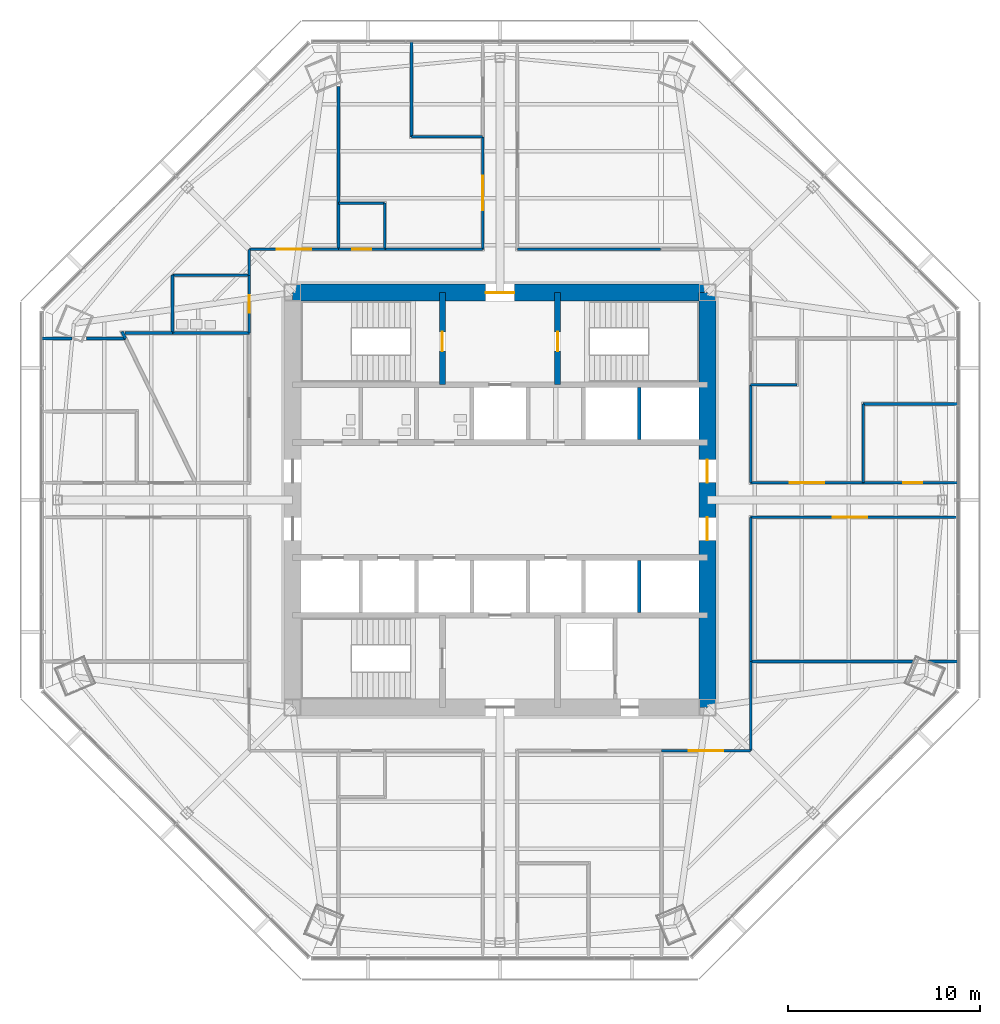
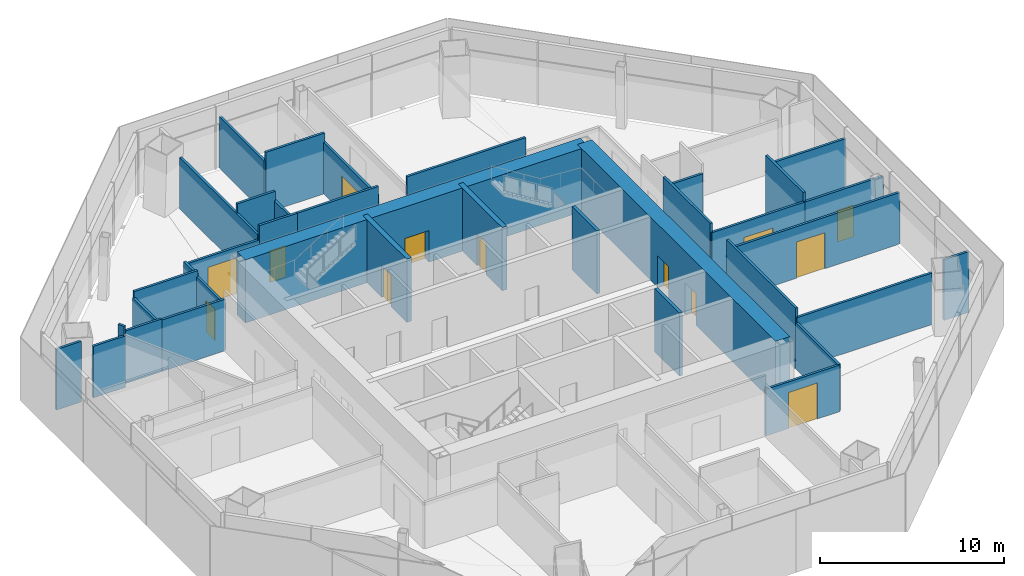
# One storey, part 10 of 14: 37 walls, 13 doors, 13 openings.
"""IFC4 building model written with IfcOpenShell, lengths in metres."""

from ifc_helpers import new_model, si_unit, direction, frame, frame_2d, origin, place, context, subcontext, project, spatial, rectangle, extrude, material, layer, layer_set, type_object, element, fill, save


model = new_model("IFC4")

# Units and contexts
model_context = context("Model", 3, precision=1e-05, world=origin(), true_north=direction((0.0, 1.0)))
body_context = subcontext(model_context, "Body", "Model", "MODEL_VIEW")
ifc_project = project(units=[si_unit("LENGTHUNIT", "METRE"), si_unit("AREAUNIT", "SQUARE_METRE"), si_unit("VOLUMEUNIT", "CUBIC_METRE"), si_unit("PLANEANGLEUNIT", "RADIAN"), si_unit("MASSUNIT", "GRAM", prefix="KILO")], contexts=[model_context])

# Site, building, storey
site_placement = place(None, origin())
site = spatial("IfcSite", under=ifc_project, at=site_placement, CompositionType="ELEMENT")
building_placement = place(site_placement, origin())
building = spatial("IfcBuilding", under=site, at=building_placement, Name="Mashrafa Tower", CompositionType="ELEMENT")
storey_placement = place(building_placement, frame((0.0, 0.0, 147.0)))
storey = spatial("IfcBuildingStorey", under=building, at=storey_placement, Name="L33", CompositionType="ELEMENT", Elevation=147.0)

# Wall, opening, door
ifc_material_1 = material(Name="Concrete C60/75", Category="concrete")
ifc_layer_1 = layer(ifc_material_1, 0.300048828125)
ifc_layer_set_1 = layer_set([ifc_layer_1], Name="Core wall 300 C60/75")
wall_type_1 = type_object("IfcWallType", Name="Core wall 300 C60/75", PredefinedType="SOLIDWALL", material=ifc_layer_set_1)
wall_1_placement = place(storey_placement, frame((-3.0, 6.0, 0.0), z_axis=(0.0, 0.0, 1.0), x_axis=(0.0, 1.0, 0.0)))
wall_1 = element("IfcWall", 1, at=wall_1_placement, inside=storey, type_object=wall_type_1, Name="Core wall CX-NW L33", PredefinedType="SOLIDWALL", context=body_context, shape_type="SweptSolid", body=[
    extrude(rectangle(XDim=4.800048828125, YDim=0.300048828125, at=frame_2d((2.39990234375, 0.0))), origin(), (0.0, 0.0, 1.0), 4.199951171875),
])
opening_1_placement = place(wall_1_placement, frame((1.75, 0.0, 0.0)))
opening_1 = element("IfcOpeningElement", 2, at=opening_1_placement, cuts=wall_1, Name="Opening 33.028", PredefinedType="OPENING", context=body_context, shape_type="SweptSolid", body=[
    extrude(rectangle(XDim=1.0, YDim=2.10009765625, at=frame_2d((0.5, 1.050048828125))), frame((0.0, 0.159912109375, 0.0), z_axis=(0.0, -1.0, 0.0), x_axis=(1.0, 0.0, 0.0)), (0.0, 0.0, 1.0), 0.320068359375),
])
ifc_material_2 = material(Name="Steel door", Category="steel")
door_type_1 = type_object("IfcDoorType", Name="Stair door 1000 x 2100 90 min", OperationType="USERDEFINED", PredefinedType="DOOR", material=ifc_material_2)
door_1_placement = place(opening_1_placement, origin())
door_1 = element("IfcDoor", 3, at=door_1_placement, inside=storey, type_object=door_type_1, Name="Stair S1 door L33", OperationType="SINGLE_SWING_LEFT", OverallHeight=2.10009765625, OverallWidth=1.0, PredefinedType="DOOR", context=body_context, shape_type="SweptSolid", body=[
    extrude(rectangle(XDim=1.0, YDim=2.10009765625, at=frame_2d((0.5, 1.050048828125))), frame((0.0, 0.02490234375, 0.0), z_axis=(0.0, -1.0, 0.0), x_axis=(1.0, 0.0, 0.0)), (0.0, 0.0, 1.0), 0.050048828125),
])
fill(opening_1, door_1)

wall_2_placement = place(storey_placement, frame((3.0, 6.0, 0.0), z_axis=(0.0, 0.0, 1.0), x_axis=(0.0, 1.0, 0.0)))
wall_2 = element("IfcWall", 4, at=wall_2_placement, inside=storey, type_object=wall_type_1, Name="Core wall CX-NE L33", PredefinedType="SOLIDWALL", context=body_context, shape_type="SweptSolid", body=[
    extrude(rectangle(XDim=4.800048828125, YDim=0.300048828125, at=frame_2d((2.39990234375, 0.0))), origin(), (0.0, 0.0, 1.0), 4.199951171875),
])
opening_2_placement = place(wall_2_placement, frame((1.75, 0.0, 0.0)))
opening_2 = element("IfcOpeningElement", 5, at=opening_2_placement, cuts=wall_2, Name="Opening 33.029", PredefinedType="OPENING", context=body_context, shape_type="SweptSolid", body=[
    extrude(rectangle(XDim=1.0, YDim=2.10009765625, at=frame_2d((0.5, 1.050048828125))), frame((0.0, 0.159912109375, 0.0), z_axis=(0.0, -1.0, 0.0), x_axis=(1.0, 0.0, 0.0)), (0.0, 0.0, 1.0), 0.320068359375),
])
door_2_placement = place(opening_2_placement, frame((1.0, 0.0, 0.0), z_axis=(0.0, 0.0, 1.0), x_axis=(-1.0, 0.0, 0.0)))
door_2 = element("IfcDoor", 6, at=door_2_placement, inside=storey, type_object=door_type_1, Name="Stair S2 door L33", OperationType="SINGLE_SWING_RIGHT", OverallHeight=2.10009765625, OverallWidth=1.0, PredefinedType="DOOR", context=body_context, shape_type="SweptSolid", body=[
    extrude(rectangle(XDim=1.0, YDim=2.10009765625, at=frame_2d((0.5, 1.050048828125))), frame((0.0, 0.02490234375, 0.0), z_axis=(0.0, -1.0, 0.0), x_axis=(1.0, 0.0, 0.0)), (0.0, 0.0, 1.0), 0.050048828125),
])
fill(opening_2, door_2)

# Wall, openings, doors
ifc_material_3 = material(Name="Concrete C60/75", Category="concrete")
ifc_layer_2 = layer(ifc_material_3, 0.89990234375)
ifc_layer_set_2 = layer_set([ifc_layer_2], Name="Core wall 900 C60/75")
wall_type_2 = type_object("IfcWallType", Name="Core wall 900 C60/75", PredefinedType="SOLIDWALL", material=ifc_layer_set_2)
wall_3_placement = place(storey_placement, frame((10.800048828125, -10.800048828125, 0.0), z_axis=(0.0, 0.0, 1.0), x_axis=(0.0, 1.0, 0.0)))
wall_3 = element("IfcWall", 7, at=wall_3_placement, inside=storey, type_object=wall_type_2, Name="Core wall CW-E L33", PredefinedType="SOLIDWALL", context=body_context, shape_type="SweptSolid", body=[
    extrude(rectangle(XDim=21.60009765625, YDim=0.89990234375, at=frame_2d((10.800048828125, 0.0))), origin(), (0.0, 0.0, 1.0), 4.199951171875),
])
opening_3_placement = place(wall_3_placement, frame((11.699951171875, 0.0, 0.0)))
opening_3 = element("IfcOpeningElement", 8, at=opening_3_placement, cuts=wall_3, Name="Opening 33.022", PredefinedType="OPENING", context=body_context, shape_type="SweptSolid", body=[
    extrude(rectangle(XDim=1.199951171875, YDim=2.10009765625, at=frame_2d((0.60009765625, 1.050048828125))), frame((0.0, 0.4599609375, 0.0), z_axis=(0.0, -1.0, 0.0), x_axis=(1.0, 0.0, 0.0)), (0.0, 0.0, 1.0), 0.919921875),
])
opening_4_placement = place(wall_3_placement, frame((8.699951171875, 0.0, 0.0)))
opening_4 = element("IfcOpeningElement", 9, at=opening_4_placement, cuts=wall_3, Name="Opening 33.024", PredefinedType="OPENING", context=body_context, shape_type="SweptSolid", body=[
    extrude(rectangle(XDim=1.199951171875, YDim=2.10009765625, at=frame_2d((0.60009765625, 1.050048828125))), frame((0.0, 0.4599609375, 0.0), z_axis=(0.0, -1.0, 0.0), x_axis=(1.0, 0.0, 0.0)), (0.0, 0.0, 1.0), 0.919921875),
])
ifc_material_4 = material(Name="Steel door", Category="steel")
door_type_2 = type_object("IfcDoorType", Name="Lift hall door 1200 x 2100 90 min", OperationType="USERDEFINED", PredefinedType="DOOR", material=ifc_material_4)
door_3_placement = place(opening_3_placement, frame((1.199951171875, 0.0, 0.0), z_axis=(0.0, 0.0, 1.0), x_axis=(-1.0, 0.0, 0.0)))
door_3 = element("IfcDoor", 10, at=door_3_placement, inside=storey, type_object=door_type_2, Name="Lift hall door east L33", OperationType="SINGLE_SWING_LEFT", OverallHeight=2.10009765625, OverallWidth=1.199951171875, PredefinedType="DOOR", context=body_context, shape_type="SweptSolid", body=[
    extrude(rectangle(XDim=1.199951171875, YDim=2.10009765625, at=frame_2d((0.60009765625, 1.050048828125))), frame((0.0, 0.02490234375, 0.0), z_axis=(0.0, -1.0, 0.0), x_axis=(1.0, 0.0, 0.0)), (0.0, 0.0, 1.0), 0.050048828125),
])
fill(opening_3, door_3)
door_4_placement = place(opening_4_placement, frame((1.199951171875, 0.0, 0.0), z_axis=(0.0, 0.0, 1.0), x_axis=(-1.0, 0.0, 0.0)))
door_4 = element("IfcDoor", 11, at=door_4_placement, inside=storey, type_object=door_type_2, Name="Lift hall door east L33", OperationType="SINGLE_SWING_RIGHT", OverallHeight=2.10009765625, OverallWidth=1.199951171875, PredefinedType="DOOR", context=body_context, shape_type="SweptSolid", body=[
    extrude(rectangle(XDim=1.199951171875, YDim=2.10009765625, at=frame_2d((0.60009765625, 1.050048828125))), frame((0.0, 0.02490234375, 0.0), z_axis=(0.0, -1.0, 0.0), x_axis=(1.0, 0.0, 0.0)), (0.0, 0.0, 1.0), 0.050048828125),
])
fill(opening_4, door_4)

# Wall, opening, door
wall_4_placement = place(storey_placement, frame((10.800048828125, 10.800048828125, 0.0), z_axis=(0.0, 0.0, 1.0), x_axis=(-1.0, 0.0, 0.0)))
wall_4 = element("IfcWall", 12, at=wall_4_placement, inside=storey, type_object=wall_type_2, Name="Core wall CW-N L33", PredefinedType="SOLIDWALL", context=body_context, shape_type="SweptSolid", body=[
    extrude(rectangle(XDim=21.60009765625, YDim=0.89990234375, at=frame_2d((10.800048828125, 0.0))), origin(), (0.0, 0.0, 1.0), 4.199951171875),
])
opening_5_placement = place(wall_4_placement, frame((10.050048828125, 0.0, 0.0)))
opening_5 = element("IfcOpeningElement", 13, at=opening_5_placement, cuts=wall_4, Name="Opening 33.026", PredefinedType="OPENING", context=body_context, shape_type="SweptSolid", body=[
    extrude(rectangle(XDim=1.5, YDim=2.10009765625, at=frame_2d((0.75, 1.050048828125))), frame((0.0, 0.4599609375, 0.0), z_axis=(0.0, -1.0, 0.0), x_axis=(1.0, 0.0, 0.0)), (0.0, 0.0, 1.0), 0.919921875),
])
ifc_material_5 = material(Name="Steel door", Category="steel")
door_type_3 = type_object("IfcDoorType", Name="Lobby door pair 1500 x 2100 90 min", OperationType="DOUBLE_DOOR_SINGLE_SWING", PredefinedType="DOOR", material=ifc_material_5)
door_5_placement = place(opening_5_placement, origin())
door_5 = element("IfcDoor", 14, at=door_5_placement, inside=storey, type_object=door_type_3, Name="Fire-fighting lobby F1 door L33", OperationType="DOUBLE_DOOR_SINGLE_SWING", OverallHeight=2.10009765625, OverallWidth=1.5, PredefinedType="DOOR", context=body_context, shape_type="SweptSolid", body=[
    extrude(rectangle(XDim=1.5, YDim=2.10009765625, at=frame_2d((0.75, 1.050048828125))), frame((0.0, 0.02490234375, 0.0), z_axis=(0.0, -1.0, 0.0), x_axis=(1.0, 0.0, 0.0)), (0.0, 0.0, 1.0), 0.050048828125),
])
fill(opening_5, door_5)

ifc_material_6 = material(Name="Gypsum board on steel studs", Category="steel")
ifc_layer_3 = layer(ifc_material_6, 0.14990234375)
ifc_layer_set_3 = layer_set([ifc_layer_3], Name="Corridor partition 150 1 hr")
wall_type_3 = type_object("IfcWallType", Name="Corridor partition 150 1 hr", PredefinedType="PARTITIONING", material=ifc_layer_set_3)
wall_5_placement = place(storey_placement, frame((-13.050048828125, 11.700927734375, 0.0), z_axis=(0.0, 0.0, 1.0), x_axis=(0.0, -1.0, 0.0)))
wall_5 = element("IfcWall", 15, at=wall_5_placement, inside=storey, type_object=wall_type_3, Name="Corridor wall L33-003", PredefinedType="PARTITIONING", context=body_context, shape_type="SweptSolid", body=[
    extrude(rectangle(XDim=3.001953125, YDim=0.14990234375, at=frame_2d((1.5009765625, 0.0))), origin(), (0.0, 0.0, 1.0), 3.097900390625),
])
opening_6_placement = place(wall_5_placement, frame((1.051025390625, 0.0, 0.0)))
opening_6 = element("IfcOpeningElement", 16, at=opening_6_placement, cuts=wall_5, Name="Opening 33.002", PredefinedType="OPENING", context=body_context, shape_type="SweptSolid", body=[
    extrude(rectangle(XDim=0.89990234375, YDim=2.10009765625, at=frame_2d((0.449951171875, 1.050048828125))), frame((0.0, 0.0849609375, 0.0), z_axis=(0.0, -1.0, 0.0), x_axis=(1.0, 0.0, 0.0)), (0.0, 0.0, 1.0), 0.169921875),
])
ifc_material_7 = material(Name="Timber door", Category="wood")
door_type_4 = type_object("IfcDoorType", Name="Toilet door 900 x 2100", OperationType="USERDEFINED", PredefinedType="DOOR", material=ifc_material_7)
door_6_placement = place(opening_6_placement, frame((0.89990234375, 0.0, 0.0), z_axis=(0.0, 0.0, 1.0), x_axis=(-1.0, 0.0, 0.0)))
door_6 = element("IfcDoor", 17, at=door_6_placement, inside=storey, type_object=door_type_4, Name="Ablution Room L33 door", OperationType="SINGLE_SWING_RIGHT", OverallHeight=2.10009765625, OverallWidth=0.89990234375, PredefinedType="DOOR", context=body_context, shape_type="SweptSolid", body=[
    extrude(rectangle(XDim=0.89990234375, YDim=2.10009765625, at=frame_2d((0.449951171875, 1.050048828125))), frame((0.0, 0.02490234375, 0.0), z_axis=(0.0, -1.0, 0.0), x_axis=(1.0, 0.0, 0.0)), (0.0, 0.0, 1.0), 0.050048828125),
])
fill(opening_6, door_6)

wall_6_placement = place(storey_placement, frame((23.84033203125, 0.89990234375, 0.0), z_axis=(0.0, 0.0, 1.0), x_axis=(-1.0, 0.0, 0.0)))
wall_6 = element("IfcWall", 18, at=wall_6_placement, inside=storey, type_object=wall_type_3, Name="Corridor wall L33-004", PredefinedType="PARTITIONING", context=body_context, shape_type="SweptSolid", body=[
    extrude(rectangle(XDim=4.93505859375, YDim=0.14990234375, at=frame_2d((2.467529296875, 0.0))), origin(), (0.0, 0.0, 1.0), 3.425537109375),
])
opening_7_placement = place(wall_6_placement, frame((1.849609375, 0.0, 0.0)))
opening_7 = element("IfcOpeningElement", 19, at=opening_7_placement, cuts=wall_6, Name="Opening 33.003", PredefinedType="OPENING", context=body_context, shape_type="SweptSolid", body=[
    extrude(rectangle(XDim=1.0, YDim=2.10009765625, at=frame_2d((0.5, 1.050048828125))), frame((0.0, 0.0849609375, 0.0), z_axis=(0.0, -1.0, 0.0), x_axis=(1.0, 0.0, 0.0)), (0.0, 0.0, 1.0), 0.169921875),
])
ifc_material_8 = material(Name="Timber door", Category="wood")
door_type_5 = type_object("IfcDoorType", Name="Door 1000 x 2100", OperationType="USERDEFINED", PredefinedType="DOOR", material=ifc_material_8)
door_7_placement = place(opening_7_placement, frame((1.0, 0.0, 0.0), z_axis=(0.0, 0.0, 1.0), x_axis=(-1.0, 0.0, 0.0)))
door_7 = element("IfcDoor", 20, at=door_7_placement, inside=storey, type_object=door_type_5, Name="Meeting Room 33-E door", OperationType="SINGLE_SWING_RIGHT", OverallHeight=2.10009765625, OverallWidth=1.0, PredefinedType="DOOR", context=body_context, shape_type="SweptSolid", body=[
    extrude(rectangle(XDim=1.0, YDim=2.10009765625, at=frame_2d((0.5, 1.050048828125))), frame((0.0, 0.02490234375, 0.0), z_axis=(0.0, -1.0, 0.0), x_axis=(1.0, 0.0, 0.0)), (0.0, 0.0, 1.0), 0.050048828125),
])
fill(opening_7, door_7)

wall_7_placement = place(storey_placement, frame((-5.9990234375, 13.050048828125, 0.0), z_axis=(0.0, 0.0, 1.0), x_axis=(-1.0, 0.0, 0.0)))
wall_7 = element("IfcWall", 21, at=wall_7_placement, inside=storey, type_object=wall_type_3, Name="Corridor wall L33-009", PredefinedType="PARTITIONING", context=body_context, shape_type="SweptSolid", body=[
    extrude(rectangle(XDim=2.40185546875, YDim=0.14990234375, at=frame_2d((1.200927734375, 0.0))), origin(), (0.0, 0.0, 1.0), 4.034912109375),
])
opening_8_placement = place(wall_7_placement, frame((0.700927734375, 0.0, 0.0)))
opening_8 = element("IfcOpeningElement", 22, at=opening_8_placement, cuts=wall_7, Name="Opening 33.008", PredefinedType="OPENING", context=body_context, shape_type="SweptSolid", body=[
    extrude(rectangle(XDim=1.0, YDim=2.10009765625, at=frame_2d((0.5, 1.050048828125))), frame((0.0, 0.0849609375, 0.0), z_axis=(0.0, -1.0, 0.0), x_axis=(1.0, 0.0, 0.0)), (0.0, 0.0, 1.0), 0.169921875),
])
door_8_placement = place(opening_8_placement, frame((1.0, 0.0, 0.0), z_axis=(0.0, 0.0, 1.0), x_axis=(-1.0, 0.0, 0.0)))
door_8 = element("IfcDoor", 23, at=door_8_placement, inside=storey, type_object=door_type_5, Name="Kitchenette 33-N door", OperationType="SINGLE_SWING_RIGHT", OverallHeight=2.10009765625, OverallWidth=1.0, PredefinedType="DOOR", context=body_context, shape_type="SweptSolid", body=[
    extrude(rectangle(XDim=1.0, YDim=2.10009765625, at=frame_2d((0.5, 1.050048828125))), frame((0.0, 0.02490234375, 0.0), z_axis=(0.0, -1.0, 0.0), x_axis=(1.0, 0.0, 0.0)), (0.0, 0.0, 1.0), 0.050048828125),
])
fill(opening_8, door_8)

# Wall
wall_8_placement = place(storey_placement, frame((8.361083984375, 13.050048828125, 0.0), z_axis=(0.0, 0.0, 1.0), x_axis=(-1.0, 0.0, 0.0)))
element("IfcWall", 24, at=wall_8_placement, inside=storey, type_object=wall_type_3, Name="Corridor wall L33-011", PredefinedType="PARTITIONING", context=body_context, shape_type="SweptSolid", body=[
    extrude(rectangle(XDim=7.461181640625, YDim=0.14990234375, at=frame_2d((3.73046875, 0.0))), origin(), (0.0, 0.0, 1.0), 4.034912109375),
])

# Wall, opening, door
wall_9_placement = place(storey_placement, frame((18.9072265625, 0.89990234375, 0.0), z_axis=(0.0, 0.0, 1.0), x_axis=(-1.0, 0.0, 0.0)))
wall_9 = element("IfcWall", 25, at=wall_9_placement, inside=storey, type_object=wall_type_3, Name="Corridor wall L33-013", PredefinedType="PARTITIONING", context=body_context, shape_type="SweptSolid", body=[
    extrude(rectangle(XDim=5.857177734375, YDim=0.14990234375, at=frame_2d((2.9287109375, 0.0))), origin(), (0.0, 0.0, 1.0), 3.425537109375),
])
opening_9_placement = place(wall_9_placement, frame((2.028564453125, 0.0, 0.0)))
opening_9 = element("IfcOpeningElement", 26, at=opening_9_placement, cuts=wall_9, Name="Opening 33.011", PredefinedType="OPENING", context=body_context, shape_type="SweptSolid", body=[
    extrude(rectangle(XDim=1.800048828125, YDim=2.39990234375, at=frame_2d((0.89990234375, 1.199951171875))), frame((0.0, 0.0849609375, 0.0), z_axis=(0.0, -1.0, 0.0), x_axis=(1.0, 0.0, 0.0)), (0.0, 0.0, 1.0), 0.169921875),
])
ifc_material_9 = material(Name="Timber door", Category="wood")
door_type_6 = type_object("IfcDoorType", Name="Door pair 1800 x 2400", OperationType="DOUBLE_DOOR_SINGLE_SWING", PredefinedType="DOOR", material=ifc_material_9)
door_9_placement = place(opening_9_placement, frame((1.800048828125, 0.0, 0.0), z_axis=(0.0, 0.0, 1.0), x_axis=(-1.0, 0.0, 0.0)))
door_9 = element("IfcDoor", 27, at=door_9_placement, inside=storey, type_object=door_type_6, Name="Office Suite 33-NE21 door", OperationType="DOUBLE_DOOR_SINGLE_SWING", OverallHeight=2.39990234375, OverallWidth=1.800048828125, PredefinedType="DOOR", context=body_context, shape_type="SweptSolid", body=[
    extrude(rectangle(XDim=1.800048828125, YDim=2.39990234375, at=frame_2d((0.89990234375, 1.199951171875))), frame((0.0, 0.02490234375, 0.0), z_axis=(0.0, -1.0, 0.0), x_axis=(1.0, 0.0, 0.0)), (0.0, 0.0, 1.0), 0.050048828125),
])
fill(opening_9, door_9)

# Wall
wall_10_placement = place(storey_placement, frame((13.050048828125, 0.89990234375, 0.0), z_axis=(0.0, 0.0, 1.0), x_axis=(0.0, 1.0, 0.0)))
element("IfcWall", 28, at=wall_10_placement, inside=storey, type_object=wall_type_3, Name="Corridor wall L33-014", PredefinedType="PARTITIONING", context=body_context, shape_type="SweptSolid", body=[
    extrude(rectangle(XDim=5.10107421875, YDim=0.14990234375, at=frame_2d((2.550537109375, 0.0))), origin(), (0.0, 0.0, 1.0), 4.034912109375),
])

# Wall, opening, door
wall_11_placement = place(storey_placement, frame((-0.89990234375, 18.9072265625, 0.0), z_axis=(0.0, 0.0, 1.0), x_axis=(0.0, -1.0, 0.0)))
wall_11 = element("IfcWall", 29, at=wall_11_placement, inside=storey, type_object=wall_type_3, Name="Corridor wall L33-017", PredefinedType="PARTITIONING", context=body_context, shape_type="SweptSolid", body=[
    extrude(rectangle(XDim=5.857177734375, YDim=0.14990234375, at=frame_2d((2.9287109375, 0.0))), origin(), (0.0, 0.0, 1.0), 3.425537109375),
])
opening_10_placement = place(wall_11_placement, frame((2.028564453125, 0.0, 0.0)))
opening_10 = element("IfcOpeningElement", 30, at=opening_10_placement, cuts=wall_11, Name="Opening 33.013", PredefinedType="OPENING", context=body_context, shape_type="SweptSolid", body=[
    extrude(rectangle(XDim=1.800048828125, YDim=2.39990234375, at=frame_2d((0.89990234375, 1.199951171875))), frame((0.0, 0.0849609375, 0.0), z_axis=(0.0, -1.0, 0.0), x_axis=(1.0, 0.0, 0.0)), (0.0, 0.0, 1.0), 0.169921875),
])
door_10_placement = place(opening_10_placement, frame((1.800048828125, 0.0, 0.0), z_axis=(0.0, 0.0, 1.0), x_axis=(-1.0, 0.0, 0.0)))
door_10 = element("IfcDoor", 31, at=door_10_placement, inside=storey, type_object=door_type_6, Name="Office Suite 33-NW12 door", OperationType="DOUBLE_DOOR_SINGLE_SWING", OverallHeight=2.39990234375, OverallWidth=1.800048828125, PredefinedType="DOOR", context=body_context, shape_type="SweptSolid", body=[
    extrude(rectangle(XDim=1.800048828125, YDim=2.39990234375, at=frame_2d((0.89990234375, 1.199951171875))), frame((0.0, 0.02490234375, 0.0), z_axis=(0.0, -1.0, 0.0), x_axis=(1.0, 0.0, 0.0)), (0.0, 0.0, 1.0), 0.050048828125),
])
fill(opening_10, door_10)

# Wall
wall_12_placement = place(storey_placement, frame((-0.89990234375, 13.050048828125, 0.0), z_axis=(0.0, 0.0, 1.0), x_axis=(-1.0, 0.0, 0.0)))
element("IfcWall", 32, at=wall_12_placement, inside=storey, type_object=wall_type_3, Name="Corridor wall L33-018", PredefinedType="PARTITIONING", context=body_context, shape_type="SweptSolid", body=[
    extrude(rectangle(XDim=5.10107421875, YDim=0.14990234375, at=frame_2d((2.550537109375, 0.0))), origin(), (0.0, 0.0, 1.0), 4.034912109375),
])

# Wall, opening, door
wall_13_placement = place(storey_placement, frame((-8.39892578125, 13.050048828125, 0.0), z_axis=(0.0, 0.0, 1.0), x_axis=(-1.0, 0.0, 0.0)))
wall_13 = element("IfcWall", 33, at=wall_13_placement, inside=storey, type_object=wall_type_3, Name="Corridor wall L33-020", PredefinedType="PARTITIONING", context=body_context, shape_type="SweptSolid", body=[
    extrude(rectangle(XDim=4.651123046875, YDim=0.14990234375, at=frame_2d((2.32568359375, 0.0))), origin(), (0.0, 0.0, 1.0), 3.097900390625),
])
opening_11_placement = place(wall_13_placement, frame((1.425537109375, 0.0, 0.0)))
opening_11 = element("IfcOpeningElement", 34, at=opening_11_placement, cuts=wall_13, Name="Opening 33.015", PredefinedType="OPENING", context=body_context, shape_type="SweptSolid", body=[
    extrude(rectangle(XDim=1.800048828125, YDim=2.39990234375, at=frame_2d((0.89990234375, 1.199951171875))), frame((0.0, 0.0849609375, 0.0), z_axis=(0.0, -1.0, 0.0), x_axis=(1.0, 0.0, 0.0)), (0.0, 0.0, 1.0), 0.169921875),
])
door_11_placement = place(opening_11_placement, frame((1.800048828125, 0.0, 0.0), z_axis=(0.0, 0.0, 1.0), x_axis=(-1.0, 0.0, 0.0)))
door_11 = element("IfcDoor", 35, at=door_11_placement, inside=storey, type_object=door_type_6, Name="Office Suite 33-NW22 door", OperationType="DOUBLE_DOOR_SINGLE_SWING", OverallHeight=2.39990234375, OverallWidth=1.800048828125, PredefinedType="DOOR", context=body_context, shape_type="SweptSolid", body=[
    extrude(rectangle(XDim=1.800048828125, YDim=2.39990234375, at=frame_2d((0.89990234375, 1.199951171875))), frame((0.0, 0.02490234375, 0.0), z_axis=(0.0, -1.0, 0.0), x_axis=(1.0, 0.0, 0.0)), (0.0, 0.0, 1.0), 0.050048828125),
])
fill(opening_11, door_11)

# Walls
wall_14_placement = place(storey_placement, frame((-13.050048828125, 13.050048828125, 0.0), z_axis=(0.0, 0.0, 1.0), x_axis=(0.0, -1.0, 0.0)))
element("IfcWall", 36, at=wall_14_placement, inside=storey, type_object=wall_type_3, Name="Corridor wall L33-021", PredefinedType="PARTITIONING", context=body_context, shape_type="SweptSolid", body=[
    extrude(rectangle(XDim=1.35107421875, YDim=0.14990234375, at=frame_2d((0.675537109375, 0.0))), origin(), (0.0, 0.0, 1.0), 3.262939453125),
])
wall_15_placement = place(storey_placement, frame((13.050048828125, -8.40087890625, 0.0), z_axis=(0.0, 0.0, 1.0), x_axis=(0.0, 1.0, 0.0)))
element("IfcWall", 37, at=wall_15_placement, inside=storey, type_object=wall_type_3, Name="Corridor wall L33-030", PredefinedType="PARTITIONING", context=body_context, shape_type="SweptSolid", body=[
    extrude(rectangle(XDim=7.5009765625, YDim=0.14990234375, at=frame_2d((3.75048828125, 0.0))), origin(), (0.0, 0.0, 1.0), 4.034912109375),
])

# Wall, opening, door
wall_16_placement = place(storey_placement, frame((13.050048828125, -0.89990234375, 0.0), z_axis=(0.0, 0.0, 1.0), x_axis=(1.0, 0.0, 0.0)))
wall_16 = element("IfcWall", 38, at=wall_16_placement, inside=storey, type_object=wall_type_3, Name="Corridor wall L33-031", PredefinedType="PARTITIONING", context=body_context, shape_type="SweptSolid", body=[
    extrude(rectangle(XDim=10.790283203125, YDim=0.14990234375, at=frame_2d((5.39501953125, 0.0))), origin(), (0.0, 0.0, 1.0), 3.425537109375),
])
opening_12_placement = place(wall_16_placement, frame((4.278076171875, 0.0, 0.0)))
opening_12 = element("IfcOpeningElement", 39, at=opening_12_placement, cuts=wall_16, Name="Opening 33.020", PredefinedType="OPENING", context=body_context, shape_type="SweptSolid", body=[
    extrude(rectangle(XDim=1.800048828125, YDim=2.39990234375, at=frame_2d((0.89990234375, 1.199951171875))), frame((0.0, 0.0849609375, 0.0), z_axis=(0.0, -1.0, 0.0), x_axis=(1.0, 0.0, 0.0)), (0.0, 0.0, 1.0), 0.169921875),
])
door_12_placement = place(opening_12_placement, frame((1.800048828125, 0.0, 0.0), z_axis=(0.0, 0.0, 1.0), x_axis=(-1.0, 0.0, 0.0)))
door_12 = element("IfcDoor", 40, at=door_12_placement, inside=storey, type_object=door_type_6, Name="Office Suite 33-SE21 door", OperationType="DOUBLE_DOOR_SINGLE_SWING", OverallHeight=2.39990234375, OverallWidth=1.800048828125, PredefinedType="DOOR", context=body_context, shape_type="SweptSolid", body=[
    extrude(rectangle(XDim=1.800048828125, YDim=2.39990234375, at=frame_2d((0.89990234375, 1.199951171875))), frame((0.0, 0.02490234375, 0.0), z_axis=(0.0, -1.0, 0.0), x_axis=(1.0, 0.0, 0.0)), (0.0, 0.0, 1.0), 0.050048828125),
])
fill(opening_12, door_12)

wall_17_placement = place(storey_placement, frame((8.39892578125, -13.050048828125, 0.0), z_axis=(0.0, 0.0, 1.0), x_axis=(1.0, 0.0, 0.0)))
wall_17 = element("IfcWall", 41, at=wall_17_placement, inside=storey, type_object=wall_type_3, Name="Corridor wall L33-032", PredefinedType="PARTITIONING", context=body_context, shape_type="SweptSolid", body=[
    extrude(rectangle(XDim=4.651123046875, YDim=0.14990234375, at=frame_2d((2.32568359375, 0.0))), origin(), (0.0, 0.0, 1.0), 3.097900390625),
])
opening_13_placement = place(wall_17_placement, frame((1.425537109375, 0.0, 0.0)))
opening_13 = element("IfcOpeningElement", 42, at=opening_13_placement, cuts=wall_17, Name="Opening 33.021", PredefinedType="OPENING", context=body_context, shape_type="SweptSolid", body=[
    extrude(rectangle(XDim=1.800048828125, YDim=2.39990234375, at=frame_2d((0.89990234375, 1.199951171875))), frame((0.0, 0.0849609375, 0.0), z_axis=(0.0, -1.0, 0.0), x_axis=(1.0, 0.0, 0.0)), (0.0, 0.0, 1.0), 0.169921875),
])
door_13_placement = place(opening_13_placement, frame((1.800048828125, 0.0, 0.0), z_axis=(0.0, 0.0, 1.0), x_axis=(-1.0, 0.0, 0.0)))
door_13 = element("IfcDoor", 43, at=door_13_placement, inside=storey, type_object=door_type_6, Name="Office Suite 33-SE22 door", OperationType="DOUBLE_DOOR_SINGLE_SWING", OverallHeight=2.39990234375, OverallWidth=1.800048828125, PredefinedType="DOOR", context=body_context, shape_type="SweptSolid", body=[
    extrude(rectangle(XDim=1.800048828125, YDim=2.39990234375, at=frame_2d((0.89990234375, 1.199951171875))), frame((0.0, 0.02490234375, 0.0), z_axis=(0.0, -1.0, 0.0), x_axis=(1.0, 0.0, 0.0)), (0.0, 0.0, 1.0), 0.050048828125),
])
fill(opening_13, door_13)

# Walls
wall_18_placement = place(storey_placement, frame((13.050048828125, -13.050048828125, 0.0), z_axis=(0.0, 0.0, 1.0), x_axis=(0.0, 1.0, 0.0)))
element("IfcWall", 44, at=wall_18_placement, inside=storey, type_object=wall_type_3, Name="Corridor wall L33-033", PredefinedType="PARTITIONING", context=body_context, shape_type="SweptSolid", body=[
    extrude(rectangle(XDim=4.651123046875, YDim=0.14990234375, at=frame_2d((2.32568359375, 0.0))), origin(), (0.0, 0.0, 1.0), 3.097900390625),
])
ifc_material_10 = material(Name="Gypsum board on steel studs", Category="steel")
ifc_layer_4 = layer(ifc_material_10, 0.14990234375)
ifc_layer_set_4 = layer_set([ifc_layer_4], Name="Partition 150")
wall_type_4 = type_object("IfcWallType", Name="Partition 150", PredefinedType="PARTITIONING", material=ifc_layer_set_4)
wall_19_placement = place(storey_placement, frame((-13.050048828125, 8.699951171875, 0.0), z_axis=(0.0, 0.0, 1.0), x_axis=(-1.0, 0.0, 0.0)))
element("IfcWall", 45, at=wall_19_placement, inside=storey, type_object=wall_type_4, Name="Partition wall L33-034", PredefinedType="PARTITIONING", context=body_context, shape_type="SweptSolid", body=[
    extrude(rectangle(XDim=4.0009765625, YDim=0.14990234375, at=frame_2d((2.00048828125, 0.0))), origin(), (0.0, 0.0, 1.0), 3.425537109375),
])
wall_20_placement = place(storey_placement, frame((-17.049072265625, 8.699951171875, 0.0), z_axis=(0.0, 0.0, 1.0), x_axis=(-1.0, 0.0, 0.0)))
element("IfcWall", 46, at=wall_20_placement, inside=storey, type_object=wall_type_4, Name="Partition wall L33-036", PredefinedType="PARTITIONING", context=body_context, shape_type="SweptSolid", body=[
    extrude(rectangle(XDim=2.48095703125, YDim=0.14990234375, at=frame_2d((1.240478515625, 0.0))), origin(), (0.0, 0.0, 1.0), 3.499267578125),
])
wall_21_placement = place(storey_placement, frame((-19.682861328125, 8.767333984375, 0.0), z_axis=(0.0, 0.0, 1.0), x_axis=(0.438376691605, -0.898791341891, 0.0)))
element("IfcWall", 47, at=wall_21_placement, inside=storey, type_object=wall_type_4, Name="Partition wall L33-037", PredefinedType="PARTITIONING", context=body_context, shape_type="SweptSolid", body=[
    extrude(rectangle(XDim=0.409912109375, YDim=0.14990234375, at=frame_2d((0.205078125, 0.0))), origin(), (0.0, 0.0, 1.0), 4.034912109375),
])
wall_22_placement = place(storey_placement, frame((-13.050048828125, 11.699951171875, 0.0), z_axis=(0.0, 0.0, 1.0), x_axis=(-1.0, 0.0, 0.0)))
element("IfcWall", 48, at=wall_22_placement, inside=storey, type_object=wall_type_4, Name="Partition wall L33-038", PredefinedType="PARTITIONING", context=body_context, shape_type="SweptSolid", body=[
    extrude(rectangle(XDim=4.0, YDim=0.14990234375, at=frame_2d((2.0, 0.0))), origin(), (0.0, 0.0, 1.0), 3.499267578125),
])
wall_23_placement = place(storey_placement, frame((-17.050048828125, 11.699951171875, 0.0), z_axis=(0.0, 0.0, 1.0), x_axis=(0.0, -1.0, 0.0)))
element("IfcWall", 49, at=wall_23_placement, inside=storey, type_object=wall_type_4, Name="Partition wall L33-039", PredefinedType="PARTITIONING", context=body_context, shape_type="SweptSolid", body=[
    extrude(rectangle(XDim=3.0, YDim=0.14990234375, at=frame_2d((1.5, 0.0))), origin(), (0.0, 0.0, 1.0), 3.097900390625),
])
wall_24_placement = place(storey_placement, frame((23.83837890625, 5.0, 0.0), z_axis=(0.0, 0.0, 1.0), x_axis=(-1.0, 0.0, 0.0)))
element("IfcWall", 50, at=wall_24_placement, inside=storey, type_object=wall_type_4, Name="Partition wall L33-040", PredefinedType="PARTITIONING", context=body_context, shape_type="SweptSolid", body=[
    extrude(rectangle(XDim=4.93212890625, YDim=0.14990234375, at=frame_2d((2.466064453125, 0.0))), origin(), (0.0, 0.0, 1.0), 3.425537109375),
])
wall_25_placement = place(storey_placement, frame((18.90625, 5.0, 0.0), z_axis=(0.0, 0.0, 1.0), x_axis=(0.0, -1.0, 0.0)))
element("IfcWall", 51, at=wall_25_placement, inside=storey, type_object=wall_type_4, Name="Partition wall L33-041", PredefinedType="PARTITIONING", context=body_context, shape_type="SweptSolid", body=[
    extrude(rectangle(XDim=4.10009765625, YDim=0.14990234375, at=frame_2d((2.050048828125, 0.0))), origin(), (0.0, 0.0, 1.0), 4.034912109375),
])
wall_26_placement = place(storey_placement, frame((-4.60009765625, 23.83837890625, 0.0), z_axis=(0.0, 0.0, 1.0), x_axis=(0.0, -1.0, 0.0)))
element("IfcWall", 52, at=wall_26_placement, inside=storey, type_object=wall_type_4, Name="Partition wall L33-044", PredefinedType="PARTITIONING", context=body_context, shape_type="SweptSolid", body=[
    extrude(rectangle(XDim=4.93212890625, YDim=0.14990234375, at=frame_2d((2.466064453125, 0.0))), origin(), (0.0, 0.0, 1.0), 3.425537109375),
])
wall_27_placement = place(storey_placement, frame((-4.60009765625, 18.90625, 0.0), z_axis=(0.0, 0.0, 1.0), x_axis=(1.0, 0.0, 0.0)))
element("IfcWall", 53, at=wall_27_placement, inside=storey, type_object=wall_type_4, Name="Partition wall L33-045", PredefinedType="PARTITIONING", context=body_context, shape_type="SweptSolid", body=[
    extrude(rectangle(XDim=3.7001953125, YDim=0.14990234375, at=frame_2d((1.85009765625, 0.0))), origin(), (0.0, 0.0, 1.0), 4.034912109375),
])
for number, where, z_axis, x_axis, name in (
    (54, (13.050048828125, 6.0, 0.0), (0.0, 0.0, 1.0), (1.0, 0.0, 0.0), "Partition wall L33-048"),
    (55, (-6.0, 13.050048828125, 0.0), (0.0, 0.0, 1.0), (0.0, 1.0, 0.0), "Partition wall L33-051"),
):
    element("IfcWall", number, at=place(storey_placement, frame(where, z_axis=z_axis, x_axis=x_axis)), inside=storey, type_object=wall_type_4, Name=name, PredefinedType="PARTITIONING", context=body_context, shape_type="SweptSolid", body=[
        extrude(rectangle(XDim=2.39990234375, YDim=0.14990234375, at=frame_2d((1.199951171875, 0.0))), origin(), (0.0, 0.0, 1.0), 3.425537109375),
    ])
wall_28_placement = place(storey_placement, frame((-6.0, 15.449951171875, 0.0), z_axis=(0.0, 0.0, 1.0), x_axis=(-1.0, 0.0, 0.0)))
element("IfcWall", 56, at=wall_28_placement, inside=storey, type_object=wall_type_4, Name="Partition wall L33-052", PredefinedType="PARTITIONING", context=body_context, shape_type="SweptSolid", body=[
    extrude(rectangle(XDim=2.39990234375, YDim=0.14990234375, at=frame_2d((1.199951171875, 0.0))), origin(), (0.0, 0.0, 1.0), 4.034912109375),
])
wall_29_placement = place(storey_placement, frame((-8.39990234375, 13.050048828125, 0.0), z_axis=(0.0, 0.0, 1.0), x_axis=(0.0, 1.0, 0.0)))
element("IfcWall", 57, at=wall_29_placement, inside=storey, type_object=wall_type_4, Name="Partition wall L33-053", PredefinedType="PARTITIONING", context=body_context, shape_type="SweptSolid", body=[
    extrude(rectangle(XDim=8.48193359375, YDim=0.14990234375, at=frame_2d((4.240966796875, 0.0))), origin(), (0.0, 0.0, 1.0), 3.425537109375),
])
wall_30_placement = place(storey_placement, frame((-19.503662109375, 8.39990234375, 0.0), z_axis=(0.0, 0.0, 1.0), x_axis=(-1.0, 0.0, 0.0)))
element("IfcWall", 58, at=wall_30_placement, inside=storey, type_object=wall_type_4, Name="Partition wall L33-061", PredefinedType="PARTITIONING", context=body_context, shape_type="SweptSolid", body=[
    extrude(rectangle(XDim=2.0283203125, YDim=0.14990234375, at=frame_2d((1.01416015625, 0.0))), origin(), (0.0, 0.0, 1.0), 3.425537109375),
])
wall_31_placement = place(storey_placement, frame((-22.288818359375, 8.39990234375, 0.0), z_axis=(0.0, 0.0, 1.0), x_axis=(-1.0, 0.0, 0.0)))
element("IfcWall", 59, at=wall_31_placement, inside=storey, type_object=wall_type_4, Name="Partition wall L33-062", PredefinedType="PARTITIONING", context=body_context, shape_type="SweptSolid", body=[
    extrude(rectangle(XDim=1.549560546875, YDim=0.14990234375, at=frame_2d((0.77490234375, 0.0))), origin(), (0.0, 0.0, 1.0), 4.034912109375),
])
wall_32_placement = place(storey_placement, frame((13.050048828125, -8.39990234375, 0.0), z_axis=(0.0, 0.0, 1.0), x_axis=(1.0, 0.0, 0.0)))
element("IfcWall", 60, at=wall_32_placement, inside=storey, type_object=wall_type_4, Name="Partition wall L33-069", PredefinedType="PARTITIONING", context=body_context, shape_type="SweptSolid", body=[
    extrude(rectangle(XDim=8.48193359375, YDim=0.14990234375, at=frame_2d((4.240966796875, 0.0))), origin(), (0.0, 0.0, 1.0), 3.425537109375),
])
wall_33_placement = place(storey_placement, frame((22.288818359375, -8.39990234375, 0.0), z_axis=(0.0, 0.0, 1.0), x_axis=(1.0, 0.0, 0.0)))
element("IfcWall", 61, at=wall_33_placement, inside=storey, type_object=wall_type_4, Name="Partition wall L33-070", PredefinedType="PARTITIONING", context=body_context, shape_type="SweptSolid", body=[
    extrude(rectangle(XDim=1.549560546875, YDim=0.14990234375, at=frame_2d((0.77490234375, 0.0))), origin(), (0.0, 0.0, 1.0), 4.034912109375),
])
ifc_material_11 = material(Name="Gypsum shaft wall on steel studs", Category="steel")
ifc_layer_5 = layer(ifc_material_11, 0.199951171875)
ifc_layer_set_5 = layer_set([ifc_layer_5], Name="Shaft divider wall 200 2 hr")
wall_type_5 = type_object("IfcWallType", Name="Shaft divider wall 200 2 hr", PredefinedType="PARTITIONING", material=ifc_layer_set_5)
for number, where, z_axis, x_axis, name in (
    (62, (7.25, 3.14990234375, 0.0), (0.0, 0.0, 1.0), (0.0, 1.0, 0.0), "Shaft divider wall N6 L33"),
    (63, (7.25, -5.85009765625, 0.0), (0.0, 0.0, 1.0), (0.0, 1.0, 0.0), "Shaft divider wall S6 L33"),
):
    element("IfcWall", number, at=place(storey_placement, frame(where, z_axis=z_axis, x_axis=x_axis)), inside=storey, type_object=wall_type_5, Name=name, PredefinedType="PARTITIONING", context=body_context, shape_type="SweptSolid", body=[
        extrude(rectangle(XDim=2.7001953125, YDim=0.199951171875, at=frame_2d((1.35009765625, 0.0))), origin(), (0.0, 0.0, 1.0), 4.199951171875),
    ])

save(model, "model.ifc")
